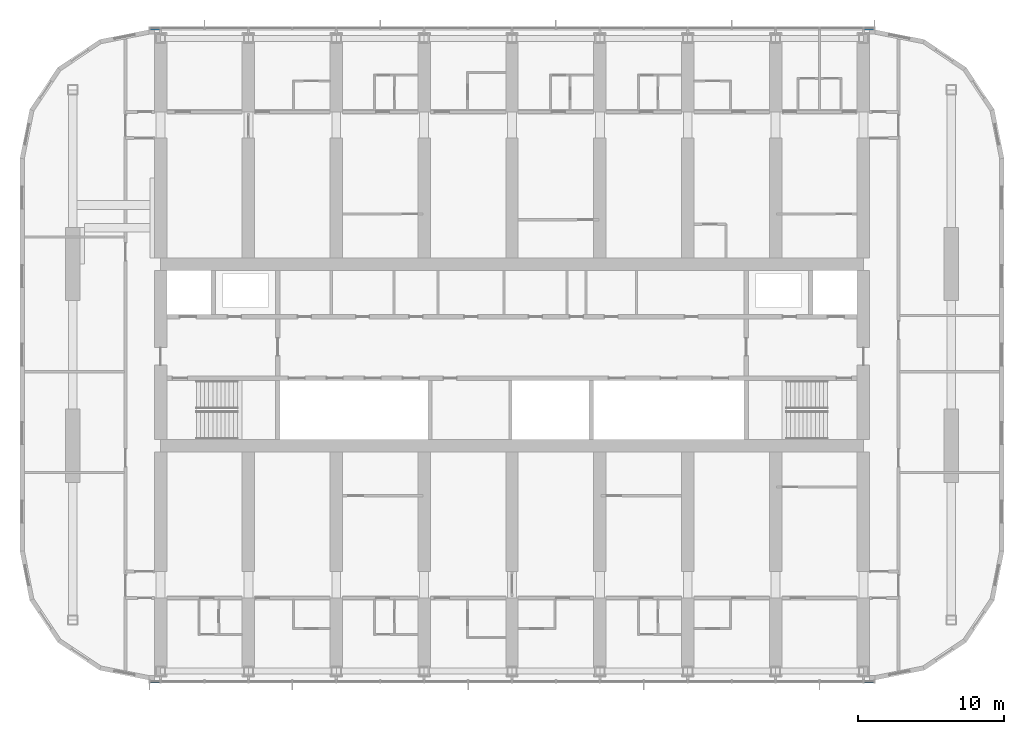
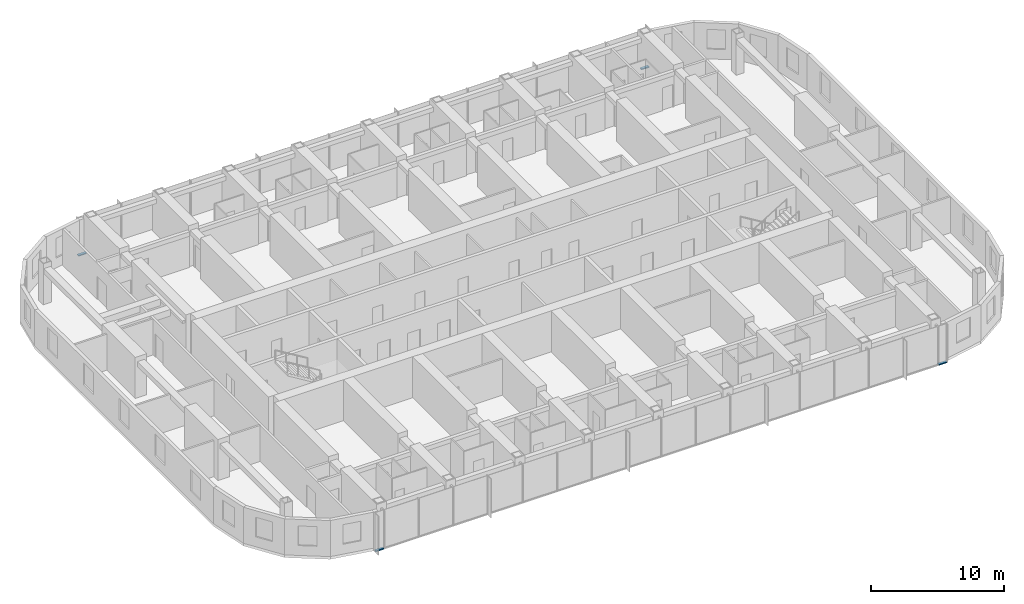
# One storey, part 6 of 22: 4 members, 2 elements without a shape of their own.
"""IFC4 building model written with IfcOpenShell, lengths in metres."""

from ifc_helpers import new_model, si_unit, direction, frame, origin, origin_2d, place, context, subcontext, project, spatial, rectangle, extrude, material, material_profile, profile_set, type_object, element, aggregate, save


model = new_model("IFC4")

# Units and contexts
model_context = context("Model", 3, precision=1e-05, world=origin(), true_north=direction((0.0, 1.0)))
body_context = subcontext(model_context, "Body", "Model", "MODEL_VIEW")
ifc_project = project(units=[si_unit("LENGTHUNIT", "METRE"), si_unit("AREAUNIT", "SQUARE_METRE"), si_unit("VOLUMEUNIT", "CUBIC_METRE"), si_unit("PLANEANGLEUNIT", "RADIAN"), si_unit("MASSUNIT", "GRAM", prefix="KILO")], contexts=[model_context])

# Site, building, storey
site_placement = place(None, origin())
site = spatial("IfcSite", under=ifc_project, at=site_placement, CompositionType="ELEMENT")
building_placement = place(site_placement, origin())
building = spatial("IfcBuilding", under=site, at=building_placement, Name="Orbita Commons", CompositionType="ELEMENT")
storey_placement = place(building_placement, frame((0.0, 0.0, 159.85009765625)))
storey = spatial("IfcBuildingStorey", under=building, at=storey_placement, Name="L39", CompositionType="ELEMENT", Elevation=159.85009765625)

# Curtain wall, members
ifc_material_1 = material(Name="Anodised aluminium frame, pale silver", Category="aluminium")
curtain_wall_type = type_object("IfcCurtainWallType", Name="Unitised curtain wall CW-U, full-height vision", PredefinedType="NOTDEFINED", material=ifc_material_1)
curtain_wall_1_placement = place(storey_placement, origin())
curtain_wall_1 = element("IfcCurtainWall", 1, at=curtain_wall_1_placement, inside=storey, type_object=curtain_wall_type, Name="Curtain wall south L39", PredefinedType="NOTDEFINED")
ifc_material_2 = material(Name="Anodised aluminium, pale silver", Category="aluminium")
ifc_material_profile = material_profile(ifc_material_2, rectangle(XDim=0.219970703125, YDim=0.10009765625, at=origin_2d()), Name="AL 220x100")
ifc_profile_set = profile_set([ifc_material_profile], Name="Anodised aluminium, pale silver")
member_type = type_object("IfcMemberType", Name="Curtain wall stack transom 220x100", PredefinedType="USERDEFINED", material=ifc_profile_set)
member_1_placement = place(storey_placement, frame((17.280029296875, 9.68994140625, -0.2001953125), z_axis=(1.0, 0.0, 0.0), x_axis=(0.0, 1.0, 0.0)))
member_1 = element("IfcMember", 2, at=member_1_placement, type_object=member_type, Name="Transom 1.1 CW-L39-S", ObjectType="TRANSOM", PredefinedType="USERDEFINED", context=body_context, shape_type="SweptSolid", body=[
    extrude(rectangle(XDim=0.219970703125, YDim=0.10009765625, at=origin_2d()), origin(), (0.0, 0.0, 1.0), 0.679931640625),
])
member_2_placement = place(storey_placement, frame((66.0400390625, 9.68994140625, -0.2001953125), z_axis=(1.0, 0.0, 0.0), x_axis=(0.0, 1.0, 0.0)))
member_2 = element("IfcMember", 3, at=member_2_placement, type_object=member_type, Name="Transom 18.1 CW-L39-S", ObjectType="TRANSOM", PredefinedType="USERDEFINED", context=body_context, shape_type="SweptSolid", body=[
    extrude(rectangle(XDim=0.219970703125, YDim=0.10009765625, at=origin_2d()), origin(), (0.0, 0.0, 1.0), 0.679931640625),
])
aggregate(curtain_wall_1, [member_1, member_2])

curtain_wall_2_placement = place(storey_placement, origin())
curtain_wall_2 = element("IfcCurtainWall", 4, at=curtain_wall_2_placement, inside=storey, type_object=curtain_wall_type, Name="Curtain wall north L39", PredefinedType="NOTDEFINED")
member_3_placement = place(storey_placement, frame((66.719970703125, 54.31005859375, -0.2001953125), z_axis=(-1.0, 0.0, 0.0), x_axis=(0.0, -1.0, 0.0)))
member_3 = element("IfcMember", 5, at=member_3_placement, type_object=member_type, Name="Transom 1.1 CW-L39-N", ObjectType="TRANSOM", PredefinedType="USERDEFINED", context=body_context, shape_type="SweptSolid", body=[
    extrude(rectangle(XDim=0.219970703125, YDim=0.10009765625, at=origin_2d()), origin(), (0.0, 0.0, 1.0), 0.679931640625),
])
member_4_placement = place(storey_placement, frame((17.9599609375, 54.31005859375, -0.2001953125), z_axis=(-1.0, 0.0, 0.0), x_axis=(0.0, -1.0, 0.0)))
member_4 = element("IfcMember", 6, at=member_4_placement, type_object=member_type, Name="Transom 18.1 CW-L39-N", ObjectType="TRANSOM", PredefinedType="USERDEFINED", context=body_context, shape_type="SweptSolid", body=[
    extrude(rectangle(XDim=0.219970703125, YDim=0.10009765625, at=origin_2d()), origin(), (0.0, 0.0, 1.0), 0.679931640625),
])
aggregate(curtain_wall_2, [member_3, member_4])

save(model, "model.ifc")
